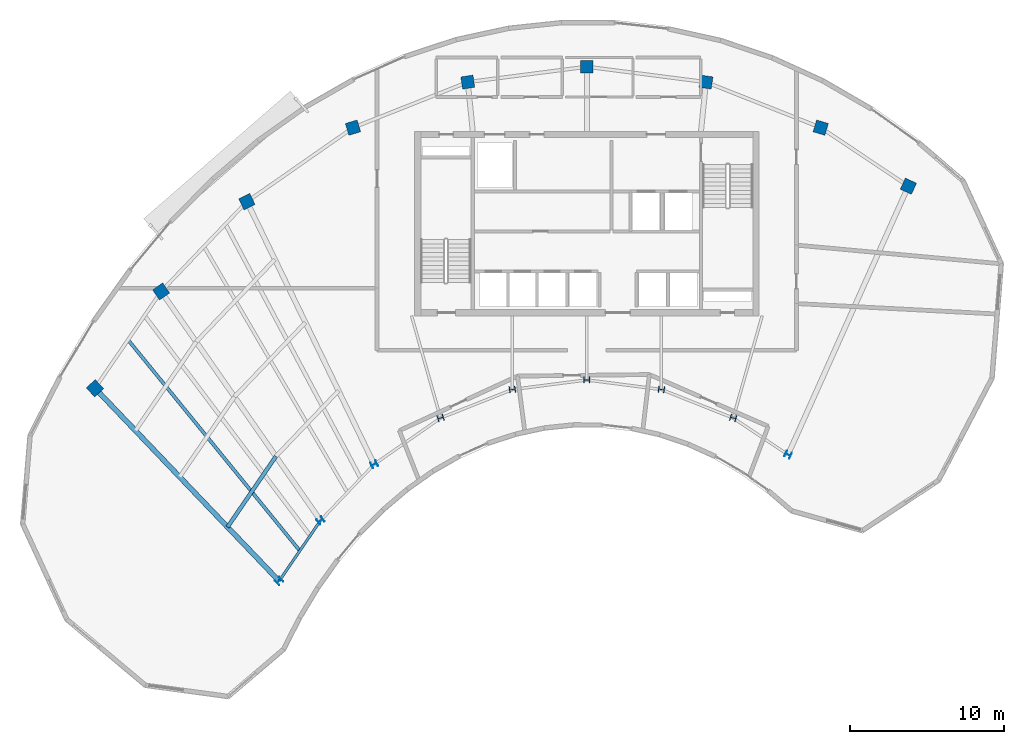
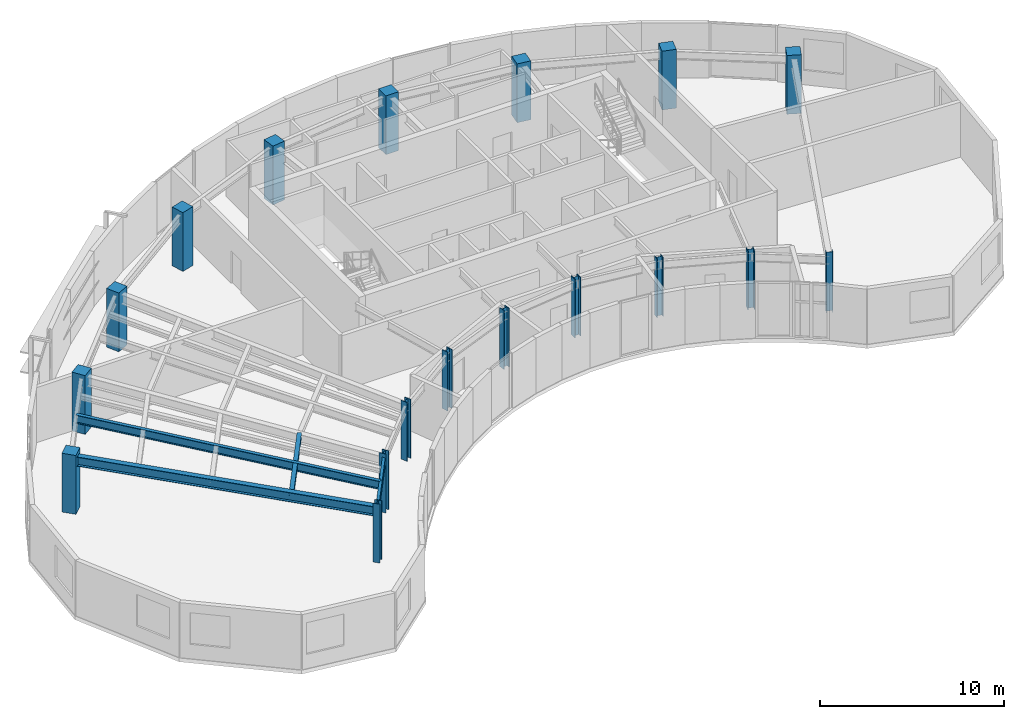
# One storey, part 1 of 12: 18 columns, 4 beams.
"""IFC4 building model written with IfcOpenShell, lengths in metres."""

from ifc_helpers import new_model, si_unit, direction, frame, origin, origin_2d, place, context, subcontext, project, spatial, rectangle, i_section, extrude, source, transform, mapped, material, material_profile, profile_set, type_object, type_shapes, element, save


model = new_model("IFC4")

# Units and contexts
model_context = context("Model", 3, precision=1e-05, world=origin(), true_north=direction((0.0, 1.0)))
body_context = subcontext(model_context, "Body", "Model", "MODEL_VIEW")
ifc_project = project(units=[si_unit("LENGTHUNIT", "METRE"), si_unit("AREAUNIT", "SQUARE_METRE"), si_unit("VOLUMEUNIT", "CUBIC_METRE"), si_unit("PLANEANGLEUNIT", "RADIAN"), si_unit("MASSUNIT", "GRAM", prefix="KILO")], contexts=[model_context])

# Site, building, storey
site_placement = place(None, origin())
site = spatial("IfcSite", under=ifc_project, at=site_placement, CompositionType="ELEMENT")
building_placement = place(site_placement, origin())
building = spatial("IfcBuilding", under=site, at=building_placement, Name="Breltana Convention Tower", CompositionType="ELEMENT")
storey_placement = place(building_placement, frame((0.0, 0.0, 260.10009765625)))
storey = spatial("IfcBuildingStorey", under=building, at=storey_placement, Name="L63", CompositionType="ELEMENT", Elevation=260.10009765625)

# Columns
ifc_material_1 = material(Name="Steel ASTM A992 Grade 50", Category="steel")
ifc_material_profile_1 = material_profile(ifc_material_1, i_section(OverallWidth=0.39892578125, OverallDepth=0.386962890625, WebThickness=0.02099609375, FlangeThickness=0.033203125, at=origin_2d()), Name="W14X176")
ifc_profile_set_1 = profile_set([ifc_material_profile_1], Name="Steel ASTM A992 Grade 50")
column_type_1 = type_object("IfcColumnType", Name="COL-STL-W14X176", PredefinedType="COLUMN", material=ifc_profile_set_1)
shared_shape_1 = source(origin(), body_context, "Body", "SweptSolid", [
    extrude(i_section(OverallWidth=0.39892578125, OverallDepth=0.386962890625, WebThickness=0.02099609375, FlangeThickness=0.033203125, at=origin_2d()), origin(), (0.0, 0.0, 1.0), 3.89990234375),
])
type_shapes(column_type_1, [shared_shape_1])
for number, where, z_axis, x_axis, name in (
    (1, (27.984619140625, 42.95458984375, 0.0), (0.0, 0.0, 1.0), (-0.690756218984, 0.723087716626, 0.0), "L63 Tower Column R01-IN"),
    (2, (30.67724609375, 46.892333984375, 0.0), (0.0, 0.0, 1.0), (-0.571143442153, 0.820850271661, 0.0), "L63 Tower Column R02-IN"),
    (3, (34.166259765625, 50.544921875, 0.0), (0.0, 0.0, 1.0), (-0.436173672171, 0.899862504889, 0.0), "L63 Tower Column R03-IN"),
    (4, (38.485107421875, 53.5576171875, 0.0), (0.0, 0.0, 1.0), (-0.288697611798, 0.957420330337, 0.0), "L63 Tower Column R04-IN"),
    (5, (43.153564453125, 55.41064453125, 0.0), (0.0, 0.0, 1.0), (-0.143492621991, 0.98965138682, 0.0), "L63 Tower Column R05-IN"),
    (6, (48.0, 56.035888671875, 0.0), (0.0, 0.0, 1.0), (0.0, 1.0, 0.0), "L63 Tower Column R06-IN"),
    (7, (52.846435546875, 55.41064453125, 0.0), (0.0, 0.0, 1.0), (0.143492621991, 0.98965138682, 0.0), "L63 Tower Column R07-IN"),
    (8, (57.514892578125, 53.5576171875, 0.0), (0.0, 0.0, 1.0), (0.288697611798, 0.957420330337, 0.0), "L63 Tower Column R08-IN"),
    (9, (61.08203125, 51.174560546875, 0.0), (0.0, 0.0, 1.0), (0.409126902895, 0.912477494148, 0.0), "L63 Tower Column R09-IN"),
):
    element("IfcColumn", number, at=place(storey_placement, frame(where, z_axis=z_axis, x_axis=x_axis)), inside=storey, type_object=column_type_1, Name=name, PredefinedType="COLUMN", context=body_context, shape_type="MappedRepresentation", body=[
        mapped(shared_shape_1, transform((0.0, 0.0, 0.0), scale=1.0)),
    ])
ifc_material_2 = material(Name="Concrete C50/60", Category="concrete")
ifc_material_profile_2 = material_profile(ifc_material_2, rectangle(XDim=0.800048828125, YDim=0.800048828125, at=origin_2d()), Name="RC-COL-800X800")
ifc_profile_set_2 = profile_set([ifc_material_profile_2], Name="Concrete C50/60")
column_type_2 = type_object("IfcColumnType", Name="COL-RC-800", PredefinedType="COLUMN", material=ifc_profile_set_2)
shared_shape_2 = source(origin(), body_context, "Body", "SweptSolid", [
    extrude(rectangle(XDim=0.800048828125, YDim=0.800048828125, at=origin_2d()), origin(), (0.0, 0.0, 1.0), 3.89990234375),
])
for number, where, z_axis, x_axis, name in (
    (10, (16.0068359375, 55.494384765625, 0.0), (0.0, 0.0, 1.0), (-0.690756218984, 0.723087716626, 0.0), "L63 Tower Column R01-OUT"),
    (11, (20.310791015625, 61.78857421875, 0.0), (0.0, 0.0, 1.0), (-0.571143442153, 0.820850271661, 0.0), "L63 Tower Column R02-OUT"),
    (12, (25.8876953125, 67.626953125, 0.0), (0.0, 0.0, 1.0), (-0.436173672171, 0.899862504889, 0.0), "L63 Tower Column R03-OUT"),
    (13, (32.791015625, 72.4423828125, 0.0), (0.0, 0.0, 1.0), (-0.288697611798, 0.957420330337, 0.0), "L63 Tower Column R04-OUT"),
    (14, (40.253173828125, 75.404296875, 0.0), (0.0, 0.0, 1.0), (-0.143492621991, 0.98965138682, 0.0), "L63 Tower Column R05-OUT"),
    (15, (48.0, 76.404052734375, 0.0), (0.0, 0.0, 1.0), (0.0, 1.0, 0.0), "L63 Tower Column R06-OUT"),
    (16, (55.746826171875, 75.404296875, 0.0), (0.0, 0.0, 1.0), (0.143492621991, 0.98965138682, 0.0), "L63 Tower Column R07-OUT"),
    (17, (63.208984375, 72.4423828125, 0.0), (0.0, 0.0, 1.0), (0.288697611798, 0.957420330337, 0.0), "L63 Tower Column R08-OUT"),
    (18, (68.910400390625, 68.63330078125, 0.0), (0.0, 0.0, 1.0), (0.409126902895, 0.912477494148, 0.0), "L63 Tower Column R09-OUT"),
):
    element("IfcColumn", number, at=place(storey_placement, frame(where, z_axis=z_axis, x_axis=x_axis)), inside=storey, type_object=column_type_2, Name=name, PredefinedType="COLUMN", context=body_context, shape_type="MappedRepresentation", body=[
        mapped(shared_shape_2, transform((0.0, 0.0, 0.0), scale=1.0)),
    ])

# Beams
ifc_material_profile_3 = material_profile(ifc_material_1, i_section(OverallWidth=0.166015625, OverallDepth=0.534912109375, WebThickness=0.01025390625, FlangeThickness=0.0166015625, at=origin_2d()), Name="W21X57")
ifc_profile_set_3 = profile_set([ifc_material_profile_3], Name="Steel ASTM A992 Grade 50")
beam_type_1 = type_object("IfcBeamType", Name="BM-BM-W21X57", PredefinedType="BEAM", material=ifc_profile_set_3)
shared_shape_3 = source(origin(), body_context, "Body", "SweptSolid", [
    extrude(i_section(OverallWidth=0.166015625, OverallDepth=0.534912109375, WebThickness=0.01025390625, FlangeThickness=0.0166015625, at=origin_2d()), origin(), (0.0, 0.0, 1.0), 4.770263671875),
])
beam_1_placement = place(storey_placement, frame((27.984619140625, 42.95458984375, 3.38232421875), z_axis=(0.564452719055, 0.82546540082, 0.0), x_axis=(-0.82546540082, 0.564452719055, 0.0)))
element("IfcBeam", 19, at=beam_1_placement, inside=storey, type_object=beam_type_1, Name="L63 Inner Ring Beam 01", PredefinedType="BEAM", context=body_context, shape_type="MappedRepresentation", body=[
    mapped(shared_shape_3, transform((0.0, 0.0, 0.0), scale=1.0)),
])
ifc_material_profile_4 = material_profile(ifc_material_1, i_section(OverallWidth=0.25390625, OverallDepth=0.305908203125, WebThickness=0.0087890625, FlangeThickness=0.0146484375, at=origin_2d()), Name="W12X53")
ifc_profile_set_4 = profile_set([ifc_material_profile_4], Name="Steel ASTM A992 Grade 50")
beam_type_2 = type_object("IfcBeamType", Name="BM-JSG-10", PredefinedType="JOIST", material=ifc_profile_set_4)
shared_shape_4 = source(origin(), body_context, "Body", "SweptSolid", [
    extrude(i_section(OverallWidth=0.25390625, OverallDepth=0.305908203125, WebThickness=0.0087890625, FlangeThickness=0.0146484375, at=origin_2d()), origin(), (0.0, 0.0, 1.0), 5.569580078125),
])
beam_2_placement = place(storey_placement, frame((24.630615234375, 46.4658203125, 3.496826171875), z_axis=(0.564493760458, 0.825437335237, 0.0), x_axis=(-0.825437335237, 0.564493760458, 0.0)))
element("IfcBeam", 20, at=beam_2_placement, inside=storey, type_object=beam_type_2, Name="L63 Composite Floor Joist 01.1", PredefinedType="JOIST", context=body_context, shape_type="MappedRepresentation", body=[
    mapped(shared_shape_4, transform((0.0, 0.0, 0.0), scale=1.0)),
])
ifc_material_profile_5 = material_profile(ifc_material_1, i_section(OverallWidth=0.214111328125, OverallDepth=0.549072265625, WebThickness=0.0146484375, FlangeThickness=0.023681640625, at=origin_2d()), Name="W21X93")
ifc_profile_set_5 = profile_set([ifc_material_profile_5], Name="Steel ASTM A992 Grade 50")
beam_type_3 = type_object("IfcBeamType", Name="BM-JSG-03", PredefinedType="JOIST", material=ifc_profile_set_5)
shared_shape_5 = source(origin(), body_context, "Body", "SweptSolid", [
    extrude(i_section(OverallWidth=0.214111328125, OverallDepth=0.549072265625, WebThickness=0.0146484375, FlangeThickness=0.023681640625, at=origin_2d()), origin(), (0.0, 0.0, 1.0), 17.691650390625),
])
beam_3_placement = place(storey_placement, frame((29.330810546875, 44.923583984375, 3.37548828125), z_axis=(-0.631476958478, 0.775394642044, 0.0), x_axis=(-0.775394642044, -0.631476958478, 0.0)))
element("IfcBeam", 21, at=beam_3_placement, inside=storey, type_object=beam_type_3, Name="L63 Mid-Bay Radial Trimmer 01", PredefinedType="JOIST", context=body_context, shape_type="MappedRepresentation", body=[
    mapped(shared_shape_5, transform((0.0, 0.0, 0.0), scale=1.0)),
])
ifc_material_profile_6 = material_profile(ifc_material_1, i_section(OverallWidth=0.326904296875, OverallDepth=0.6220703125, WebThickness=0.015380859375, FlangeThickness=0.0244140625, at=origin_2d()), Name="W24X131")
ifc_profile_set_6 = profile_set([ifc_material_profile_6], Name="Steel ASTM A992 Grade 50")
beam_type_4 = type_object("IfcBeamType", Name="BM-RG-W24X131", PredefinedType="USERDEFINED", material=ifc_profile_set_6)
shared_shape_6 = source(origin(), body_context, "Body", "SweptSolid", [
    extrude(i_section(OverallWidth=0.326904296875, OverallDepth=0.6220703125, WebThickness=0.015380859375, FlangeThickness=0.0244140625, at=origin_2d()), origin(), (0.0, 0.0, 1.0), 17.341064453125),
])
type_shapes(beam_type_4, [shared_shape_6])
beam_4_placement = place(storey_placement, frame((27.984619140625, 42.95458984375, 3.3388671875), z_axis=(-0.690716462293, 0.723125693581, 0.0), x_axis=(-0.723125693581, -0.690716462293, 0.0)))
element("IfcBeam", 22, at=beam_4_placement, inside=storey, type_object=beam_type_4, Name="L63 Radial Floor Girder R01", ObjectType="GIRDER", PredefinedType="USERDEFINED", context=body_context, shape_type="MappedRepresentation", body=[
    mapped(shared_shape_6, transform((0.0, 0.0, 0.0), scale=1.0)),
])

save(model, "model.ifc")
